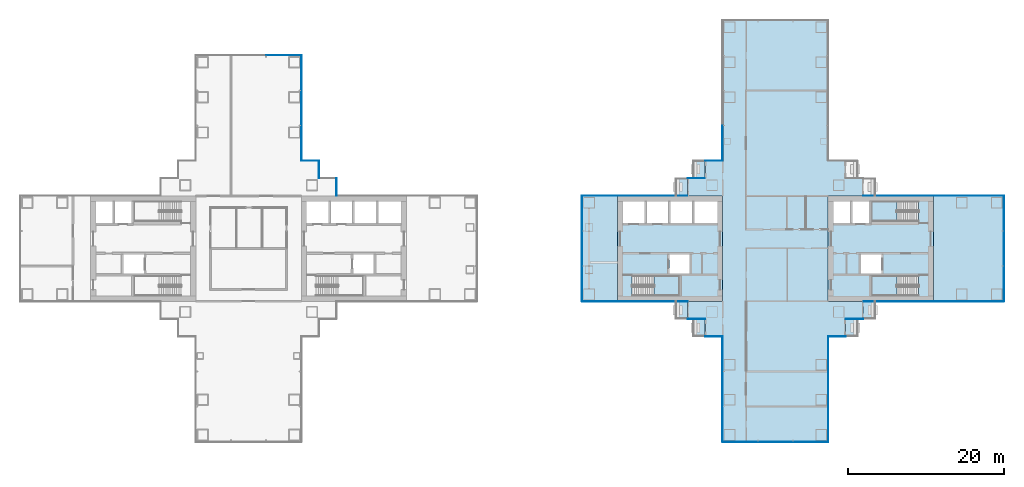
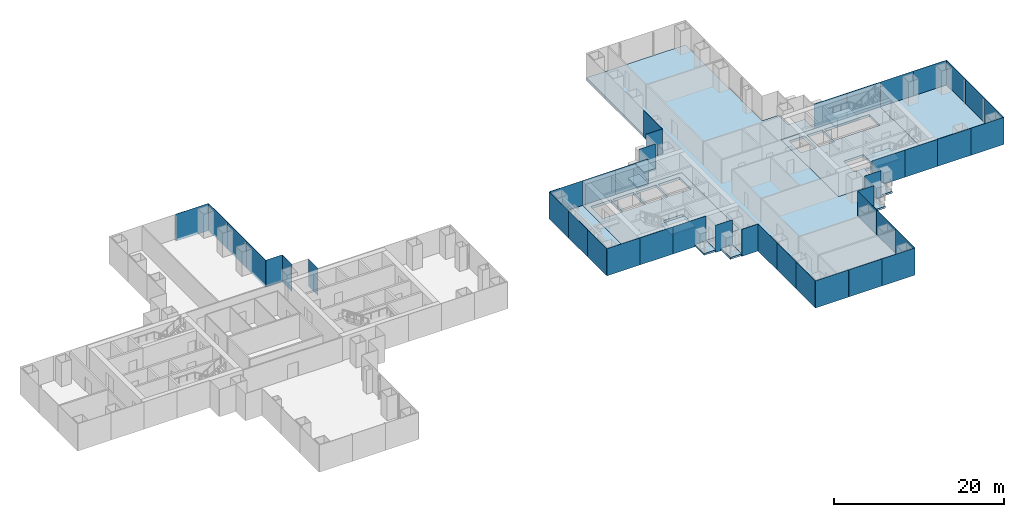
# One storey, part 12 of 22: 43 plates, 14 slabs, 23 elements without a shape of their own.
"""IFC4 building model written with IfcOpenShell, lengths in metres."""

from ifc_helpers import new_model, si_unit, direction, frame, origin, origin_2d, place, context, subcontext, project, spatial, polyline, rectangle, outline, extrude, material, layer, layer_set, type_object, element, aggregate, save


model = new_model("IFC4")

# Units and contexts
model_context = context("Model", 3, precision=1e-05, world=origin(), true_north=direction((0.0, 1.0)))
body_context = subcontext(model_context, "Body", "Model", "MODEL_VIEW")
ifc_project = project(units=[si_unit("LENGTHUNIT", "METRE"), si_unit("AREAUNIT", "SQUARE_METRE"), si_unit("VOLUMEUNIT", "CUBIC_METRE"), si_unit("PLANEANGLEUNIT", "RADIAN"), si_unit("MASSUNIT", "GRAM", prefix="KILO")], contexts=[model_context])

# Site, building, storey
site_placement = place(None, origin())
site = spatial("IfcSite", under=ifc_project, at=site_placement, CompositionType="ELEMENT")
building_placement = place(site_placement, origin())
building = spatial("IfcBuilding", under=site, at=building_placement, Name="Shamsa Quay Exchange Towers", CompositionType="ELEMENT")
storey_placement = place(building_placement, frame((0.0, 0.0, 73.199951171875)))
storey = spatial("IfcBuildingStorey", under=building, at=storey_placement, Name="L16", CompositionType="ELEMENT", Elevation=73.199951171875)

# Slabs
ifc_material_1 = material(Name="Precast concrete C40/50", Category="concrete")
ifc_layer_1 = layer(ifc_material_1, 0.25)
ifc_layer_set_1 = layer_set([ifc_layer_1], Name="BALCONY SLAB 250")
slab_type_1 = type_object("IfcSlabType", Name="BALCONY SLAB 250", PredefinedType="FLOOR", material=ifc_layer_set_1)
slab_1_placement = place(storey_placement, frame((0.0, 0.0, -0.25)))
element("IfcSlab", 1, at=slab_1_placement, inside=storey, type_object=slab_type_1, Name="Balcony T2-PKEN L16", PredefinedType="FLOOR", context=body_context, shape_type="SweptSolid", body=[
    extrude(outline(polyline([(24.75, 11.25), (24.75, 9.0380859375), (23.199951171875, 9.0380859375), (23.199951171875, 11.25), (24.75, 11.25)])), origin(), (0.0, 0.0, 1.0), 0.25),
])
slab_2_placement = place(storey_placement, frame((0.0, 0.0, -0.25)))
element("IfcSlab", 2, at=slab_2_placement, inside=storey, type_object=slab_type_1, Name="Balcony T2-PKEN L16", PredefinedType="FLOOR", context=body_context, shape_type="SweptSolid", body=[
    extrude(outline(polyline([(22.5, 9.0), (22.5, 6.7880859375), (20.949951171875, 6.7880859375), (20.949951171875, 9.0), (22.5, 9.0)])), origin(), (0.0, 0.0, 1.0), 0.25),
])
slab_3_placement = place(storey_placement, frame((0.0, 0.0, -0.25)))
element("IfcSlab", 3, at=slab_3_placement, inside=storey, type_object=slab_type_1, Name="Balcony T2-PKWN L16", PredefinedType="FLOOR", context=body_context, shape_type="SweptSolid", body=[
    extrude(outline(polyline([(22.5, -6.7880859375), (22.5, -9.0), (20.949951171875, -9.0), (20.949951171875, -6.7880859375), (22.5, -6.7880859375)])), origin(), (0.0, 0.0, 1.0), 0.25),
])
slab_4_placement = place(storey_placement, frame((0.0, 0.0, -0.25)))
element("IfcSlab", 4, at=slab_4_placement, inside=storey, type_object=slab_type_1, Name="Balcony T2-PKWN L16", PredefinedType="FLOOR", context=body_context, shape_type="SweptSolid", body=[
    extrude(outline(polyline([(24.75, -9.0380859375), (24.75, -11.25), (23.199951171875, -11.25), (23.199951171875, -9.0380859375), (24.75, -9.0380859375)])), origin(), (0.0, 0.0, 1.0), 0.25),
])
slab_5_placement = place(storey_placement, frame((0.0, 0.0, -0.25)))
element("IfcSlab", 5, at=slab_5_placement, inside=storey, type_object=slab_type_1, Name="Balcony T2-PKWS L16", PredefinedType="FLOOR", context=body_context, shape_type="SweptSolid", body=[
    extrude(outline(polyline([(42.75, -11.25), (42.75, -9.0380859375), (44.300048828125, -9.0380859375), (44.300048828125, -11.25), (42.75, -11.25)])), origin(), (0.0, 0.0, 1.0), 0.25),
])
slab_6_placement = place(storey_placement, frame((0.0, 0.0, -0.25)))
element("IfcSlab", 6, at=slab_6_placement, inside=storey, type_object=slab_type_1, Name="Balcony T2-PKWS L16", PredefinedType="FLOOR", context=body_context, shape_type="SweptSolid", body=[
    extrude(outline(polyline([(45.0, -9.0), (45.0, -6.7880859375), (46.550048828125, -6.7880859375), (46.550048828125, -9.0), (45.0, -9.0)])), origin(), (0.0, 0.0, 1.0), 0.25),
])
ifc_material_2 = material(Name="Concrete C50/60", Category="concrete")
ifc_layer_2 = layer(ifc_material_2, 0.35009765625)
ifc_layer_set_2 = layer_set([ifc_layer_2], Name="CORE FLOOR 350 C50/60")
slab_type_2 = type_object("IfcSlabType", Name="CORE FLOOR 350 C50/60", PredefinedType="FLOOR", material=ifc_layer_set_2)
slab_7_placement = place(storey_placement, frame((0.0, 0.0, -0.349853515625)))
element("IfcSlab", 7, at=slab_7_placement, inside=storey, type_object=slab_type_2, Name="Core floor T2A", PredefinedType="FLOOR", context=body_context, shape_type="SweptSolid", body=[
    extrude(outline(polyline([(13.5, -6.75), (27.0, -6.75), (27.0, 6.75), (13.5, 6.75), (13.5, -6.75)]), holes=[polyline([(15.400634765625, -6.050048828125), (15.400634765625, -3.5), (21.5, -3.5), (21.5, -6.050048828125), (15.400634765625, -6.050048828125)]), polyline([(14.199951171875, 3.25), (14.199951171875, 6.050048828125), (17.0, 6.050048828125), (17.0, 3.25), (14.199951171875, 3.25)]), polyline([(17.25, 3.25), (17.25, 6.050048828125), (20.050048828125, 6.050048828125), (20.050048828125, 3.25), (17.25, 3.25)]), polyline([(20.300048828125, 3.25), (20.300048828125, 6.050048828125), (23.10009765625, 6.050048828125), (23.10009765625, 3.25), (20.300048828125, 3.25)]), polyline([(23.35009765625, 3.25), (23.35009765625, 6.050048828125), (26.300048828125, 6.050048828125), (26.300048828125, 3.25), (23.35009765625, 3.25)]), polyline([(20.14990234375, -3.25), (20.14990234375, -0.75), (22.800048828125, -0.75), (22.800048828125, -3.25), (20.14990234375, -3.25)])]), origin(), (0.0, 0.0, 1.0), 0.349853515625),
])
slab_8_placement = place(storey_placement, frame((0.0, 0.0, -0.349853515625)))
element("IfcSlab", 8, at=slab_8_placement, inside=storey, type_object=slab_type_2, Name="Core floor T2B", PredefinedType="FLOOR", context=body_context, shape_type="SweptSolid", body=[
    extrude(outline(polyline([(54.0, -6.75), (54.0, 6.75), (40.5, 6.75), (40.5, -6.75), (54.0, -6.75)]), holes=[polyline([(52.099365234375, -3.5), (52.099365234375, -6.050048828125), (46.0, -6.050048828125), (46.0, -3.5), (52.099365234375, -3.5)]), polyline([(52.099365234375, 6.050048828125), (52.099365234375, 3.5), (46.0, 3.5), (46.0, 6.050048828125), (52.099365234375, 6.050048828125)]), polyline([(45.75, 3.25), (43.60009765625, 3.25), (43.60009765625, 6.050048828125), (45.75, 6.050048828125), (45.75, 3.25)]), polyline([(43.35009765625, 3.25), (41.199951171875, 3.25), (41.199951171875, 6.050048828125), (43.35009765625, 6.050048828125), (43.35009765625, 3.25)]), polyline([(47.35009765625, -3.25), (44.699951171875, -3.25), (44.699951171875, -0.75), (47.35009765625, -0.75), (47.35009765625, -3.25)])]), origin(), (0.0, 0.0, 1.0), 0.349853515625),
])

# Stair, slab
ifc_material_3 = material(Name="Concrete C40/50", Category="concrete")
stair_type = type_object("IfcStairType", Name="EXIT STAIR 22 RISERS 177 MM", PredefinedType="HALF_TURN_STAIR", material=ifc_material_3)
stair_1_placement = place(storey_placement, origin())
stair_1 = element("IfcStair", 9, at=stair_1_placement, inside=storey, type_object=stair_type, Name="L16 Exit stair ST4", PredefinedType="HALF_TURN_STAIR")
ifc_layer_3 = layer(ifc_material_3, 0.199951171875)
ifc_layer_set_3 = layer_set([ifc_layer_3], Name="CORE STAIR LANDING")
slab_type_3 = type_object("IfcSlabType", Name="CORE STAIR LANDING", PredefinedType="LANDING", material=ifc_layer_set_3)
slab_9_placement = place(storey_placement, frame((0.0, 0.0, 1.75)))
slab_9 = element("IfcSlab", 10, at=slab_9_placement, type_object=slab_type_3, Name="ST4 landing 1", PredefinedType="LANDING", context=body_context, shape_type="SweptSolid", body=[
    extrude(outline(polyline([(18.199951171875, -6.050048828125), (21.5, -6.050048828125), (21.5, -3.5), (18.199951171875, -3.5), (18.199951171875, -6.050048828125)])), origin(), (0.0, 0.0, 1.0), 0.199951171875),
])
aggregate(stair_1, [slab_9])

stair_2_placement = place(storey_placement, origin())
stair_2 = element("IfcStair", 11, at=stair_2_placement, inside=storey, type_object=stair_type, Name="L16 Exit stair ST5", PredefinedType="HALF_TURN_STAIR")
slab_10_placement = place(storey_placement, frame((0.0, 0.0, 1.75)))
slab_10 = element("IfcSlab", 12, at=slab_10_placement, type_object=slab_type_3, Name="ST5 landing 1", PredefinedType="LANDING", context=body_context, shape_type="SweptSolid", body=[
    extrude(outline(polyline([(49.300048828125, -3.5), (46.0, -3.5), (46.0, -6.050048828125), (49.300048828125, -6.050048828125), (49.300048828125, -3.5)])), origin(), (0.0, 0.0, 1.0), 0.199951171875),
])
aggregate(stair_2, [slab_10])

stair_3_placement = place(storey_placement, origin())
stair_3 = element("IfcStair", 13, at=stair_3_placement, inside=storey, type_object=stair_type, Name="L16 Exit stair ST6", PredefinedType="HALF_TURN_STAIR")
slab_11_placement = place(storey_placement, frame((0.0, 0.0, 1.75)))
slab_11 = element("IfcSlab", 14, at=slab_11_placement, type_object=slab_type_3, Name="ST6 landing 1", PredefinedType="LANDING", context=body_context, shape_type="SweptSolid", body=[
    extrude(outline(polyline([(49.300048828125, 6.050048828125), (46.0, 6.050048828125), (46.0, 3.5), (49.300048828125, 3.5), (49.300048828125, 6.050048828125)])), origin(), (0.0, 0.0, 1.0), 0.199951171875),
])
aggregate(stair_3, [slab_11])

# Curtain wall, plates
ifc_material_4 = material(Name="Aluminium EN AW-6063 T6, black anodised", Category="aluminium")
ifc_layer_4 = layer(ifc_material_4, 0.280029296875)
ifc_layer_set_4 = layer_set([ifc_layer_4], Name="CW-1 UNITISED VISION GLASS")
curtain_wall_type_1 = type_object("IfcCurtainWallType", Name="CW-1 UNITISED VISION GLASS", PredefinedType="NOTDEFINED", material=ifc_layer_set_4)
curtain_wall_1_placement = place(storey_placement, origin())
curtain_wall_1 = element("IfcCurtainWall", 15, at=curtain_wall_1_placement, inside=storey, type_object=curtain_wall_type_1, Name="CW1 T1-FLK-V+E L16", PredefinedType="NOTDEFINED")
ifc_material_5 = material(Name="Glass, laminated, dark tinted", Category="glass")
ifc_layer_5 = layer(ifc_material_5, 0.0400390625)
ifc_layer_set_5 = layer_set([ifc_layer_5], Name="CW-1 VISION GLASS 40")
plate_type_1 = type_object("IfcPlateType", Name="CW-1 VISION GLASS 40", PredefinedType="CURTAIN_PANEL", material=ifc_layer_set_5)
plate_1_placement = place(storey_placement, frame((-26.97998046875, 13.529052734375, -0.349853515625), z_axis=(0.0, 0.0, 1.0), x_axis=(0.0, 1.0, 0.0)))
plate_1 = element("IfcPlate", 16, at=plate_1_placement, type_object=plate_type_1, Name="CW1 glass panel", PredefinedType="CURTAIN_PANEL", context=body_context, shape_type="SweptSolid", body=[
    extrude(rectangle(XDim=4.482421875, YDim=0.0400390625, at=origin_2d()), origin(), (0.0, 0.0, 1.0), 3.89990234375),
])
plate_2_placement = place(storey_placement, frame((-26.97998046875, 18.01904296875, -0.349853515625), z_axis=(0.0, 0.0, 1.0), x_axis=(0.0, 1.0, 0.0)))
plate_2 = element("IfcPlate", 17, at=plate_2_placement, type_object=plate_type_1, Name="CW1 glass panel", PredefinedType="CURTAIN_PANEL", context=body_context, shape_type="SweptSolid", body=[
    extrude(rectangle(XDim=4.477294921875, YDim=0.0400390625, at=origin_2d()), origin(), (0.0, 0.0, 1.0), 3.89990234375),
])
plate_3_placement = place(storey_placement, frame((-26.97998046875, 22.5087890625, -0.349853515625), z_axis=(0.0, 0.0, 1.0), x_axis=(0.0, 1.0, 0.0)))
plate_3 = element("IfcPlate", 18, at=plate_3_placement, type_object=plate_type_1, Name="CW1 glass panel", PredefinedType="CURTAIN_PANEL", context=body_context, shape_type="SweptSolid", body=[
    extrude(rectangle(XDim=4.482421875, YDim=0.0400390625, at=origin_2d()), origin(), (0.0, 0.0, 1.0), 3.89990234375),
])
aggregate(curtain_wall_1, [plate_1, plate_2, plate_3])

# Curtain wall, plate
curtain_wall_2_placement = place(storey_placement, origin())
curtain_wall_2 = element("IfcCurtainWall", 19, at=curtain_wall_2_placement, inside=storey, type_object=curtain_wall_type_1, Name="CW1 T1-END-V+ L16", PredefinedType="NOTDEFINED")
plate_4_placement = place(storey_placement, frame((-29.24755859375, 24.77001953125, -0.349853515625), z_axis=(0.0, 0.0, 1.0), x_axis=(-1.0, 0.0, 0.0)))
plate_4 = element("IfcPlate", 20, at=plate_4_placement, type_object=plate_type_1, Name="CW1 glass panel", PredefinedType="CURTAIN_PANEL", context=body_context, shape_type="SweptSolid", body=[
    extrude(rectangle(XDim=4.4951171875, YDim=0.0400390625, at=origin_2d()), origin(), (0.0, 0.0, 1.0), 3.89990234375),
])
aggregate(curtain_wall_2, [plate_4])

# Curtain wall, plates
curtain_wall_3_placement = place(storey_placement, origin())
curtain_wall_3 = element("IfcCurtainWall", 21, at=curtain_wall_3_placement, inside=storey, type_object=curtain_wall_type_1, Name="CW1 T2-FLK-V-W L16", PredefinedType="NOTDEFINED")
plate_5_placement = place(storey_placement, frame((56.24755859375, -6.77001953125, -0.349853515625)))
plate_5 = element("IfcPlate", 22, at=plate_5_placement, type_object=plate_type_1, Name="CW1 glass panel", PredefinedType="CURTAIN_PANEL", context=body_context, shape_type="SweptSolid", body=[
    extrude(rectangle(XDim=4.4951171875, YDim=0.0400390625, at=origin_2d()), origin(), (0.0, 0.0, 1.0), 3.89990234375),
])
plate_6_placement = place(storey_placement, frame((60.75244140625, -6.77001953125, -0.349853515625)))
plate_6 = element("IfcPlate", 23, at=plate_6_placement, type_object=plate_type_1, Name="CW1 glass panel", PredefinedType="CURTAIN_PANEL", context=body_context, shape_type="SweptSolid", body=[
    extrude(rectangle(XDim=4.4951171875, YDim=0.0400390625, at=origin_2d()), origin(), (0.0, 0.0, 1.0), 3.89990234375),
])
aggregate(curtain_wall_3, [plate_5, plate_6])

curtain_wall_4_placement = place(storey_placement, origin())
curtain_wall_4 = element("IfcCurtainWall", 24, at=curtain_wall_4_placement, inside=storey, type_object=curtain_wall_type_1, Name="CW1 T2-END-V- L16", PredefinedType="NOTDEFINED")
plate_7_placement = place(storey_placement, frame((63.02001953125, -4.50244140625, -0.349853515625), z_axis=(0.0, 0.0, 1.0), x_axis=(0.0, 1.0, 0.0)))
plate_7 = element("IfcPlate", 25, at=plate_7_placement, type_object=plate_type_1, Name="CW1 glass panel", PredefinedType="CURTAIN_PANEL", context=body_context, shape_type="SweptSolid", body=[
    extrude(rectangle(XDim=4.4951171875, YDim=0.0400390625, at=origin_2d()), origin(), (0.0, 0.0, 1.0), 3.89990234375),
])
plate_8_placement = place(storey_placement, frame((63.02001953125, 0.0, -0.349853515625), z_axis=(0.0, 0.0, 1.0), x_axis=(0.0, 1.0, 0.0)))
plate_8 = element("IfcPlate", 26, at=plate_8_placement, type_object=plate_type_1, Name="CW1 glass panel", PredefinedType="CURTAIN_PANEL", context=body_context, shape_type="SweptSolid", body=[
    extrude(rectangle(XDim=4.489990234375, YDim=0.0400390625, at=origin_2d()), origin(), (0.0, 0.0, 1.0), 3.89990234375),
])
plate_9_placement = place(storey_placement, frame((63.02001953125, 4.50244140625, -0.349853515625), z_axis=(0.0, 0.0, 1.0), x_axis=(0.0, 1.0, 0.0)))
plate_9 = element("IfcPlate", 27, at=plate_9_placement, type_object=plate_type_1, Name="CW1 glass panel", PredefinedType="CURTAIN_PANEL", context=body_context, shape_type="SweptSolid", body=[
    extrude(rectangle(XDim=4.4951171875, YDim=0.0400390625, at=origin_2d()), origin(), (0.0, 0.0, 1.0), 3.89990234375),
])
aggregate(curtain_wall_4, [plate_7, plate_8, plate_9])

curtain_wall_5_placement = place(storey_placement, origin())
curtain_wall_5 = element("IfcCurtainWall", 28, at=curtain_wall_5_placement, inside=storey, type_object=curtain_wall_type_1, Name="CW1 T2-FLK-V-E L16", PredefinedType="NOTDEFINED")
plate_10_placement = place(storey_placement, frame((60.75244140625, 6.77001953125, -0.349853515625), z_axis=(0.0, 0.0, 1.0), x_axis=(-1.0, 0.0, 0.0)))
plate_10 = element("IfcPlate", 29, at=plate_10_placement, type_object=plate_type_1, Name="CW1 glass panel", PredefinedType="CURTAIN_PANEL", context=body_context, shape_type="SweptSolid", body=[
    extrude(rectangle(XDim=4.4951171875, YDim=0.0400390625, at=origin_2d()), origin(), (0.0, 0.0, 1.0), 3.89990234375),
])
plate_11_placement = place(storey_placement, frame((56.24755859375, 6.77001953125, -0.349853515625), z_axis=(0.0, 0.0, 1.0), x_axis=(-1.0, 0.0, 0.0)))
plate_11 = element("IfcPlate", 30, at=plate_11_placement, type_object=plate_type_1, Name="CW1 glass panel", PredefinedType="CURTAIN_PANEL", context=body_context, shape_type="SweptSolid", body=[
    extrude(rectangle(XDim=4.4951171875, YDim=0.0400390625, at=origin_2d()), origin(), (0.0, 0.0, 1.0), 3.89990234375),
])
aggregate(curtain_wall_5, [plate_10, plate_11])

# Curtain wall, plate
curtain_wall_6_placement = place(storey_placement, origin())
curtain_wall_6 = element("IfcCurtainWall", 31, at=curtain_wall_6_placement, inside=storey, type_object=curtain_wall_type_1, Name="CW1 T2-FLK-U+N L16", PredefinedType="NOTDEFINED")
plate_12_placement = place(storey_placement, frame((26.97998046875, 13.49755859375, -0.349853515625), z_axis=(0.0, 0.0, 1.0), x_axis=(0.0, -1.0, 0.0)))
plate_12 = element("IfcPlate", 32, at=plate_12_placement, type_object=plate_type_1, Name="CW1 glass panel", PredefinedType="CURTAIN_PANEL", context=body_context, shape_type="SweptSolid", body=[
    extrude(rectangle(XDim=4.4951171875, YDim=0.0400390625, at=origin_2d()), origin(), (0.0, 0.0, 1.0), 3.89990234375),
])
aggregate(curtain_wall_6, [plate_12])

curtain_wall_7_placement = place(storey_placement, origin())
curtain_wall_7 = element("IfcCurtainWall", 33, at=curtain_wall_7_placement, inside=storey, type_object=curtain_wall_type_1, Name="CW1 T2-FLK-V+E L16", PredefinedType="NOTDEFINED")
plate_13_placement = place(storey_placement, frame((11.25, 6.77001953125, -0.349853515625), z_axis=(0.0, 0.0, 1.0), x_axis=(-1.0, 0.0, 0.0)))
plate_13 = element("IfcPlate", 34, at=plate_13_placement, type_object=plate_type_1, Name="CW1 glass panel", PredefinedType="CURTAIN_PANEL", context=body_context, shape_type="SweptSolid", body=[
    extrude(rectangle(XDim=4.5, YDim=0.0400390625, at=origin_2d()), origin(), (0.0, 0.0, 1.0), 3.89990234375),
])
aggregate(curtain_wall_7, [plate_13])

# Curtain wall, plates
curtain_wall_8_placement = place(storey_placement, origin())
curtain_wall_8 = element("IfcCurtainWall", 35, at=curtain_wall_8_placement, inside=storey, type_object=curtain_wall_type_1, Name="CW1 T2-END-V+ L16", PredefinedType="NOTDEFINED")
plate_14_placement = place(storey_placement, frame((8.97998046875, 4.50244140625, -0.349853515625), z_axis=(0.0, 0.0, 1.0), x_axis=(0.0, -1.0, 0.0)))
plate_14 = element("IfcPlate", 36, at=plate_14_placement, type_object=plate_type_1, Name="CW1 glass panel", PredefinedType="CURTAIN_PANEL", context=body_context, shape_type="SweptSolid", body=[
    extrude(rectangle(XDim=4.4951171875, YDim=0.0400390625, at=origin_2d()), origin(), (0.0, 0.0, 1.0), 3.89990234375),
])
plate_15_placement = place(storey_placement, frame((8.97998046875, 0.0, -0.349853515625), z_axis=(0.0, 0.0, 1.0), x_axis=(0.0, -1.0, 0.0)))
plate_15 = element("IfcPlate", 37, at=plate_15_placement, type_object=plate_type_1, Name="CW1 glass panel", PredefinedType="CURTAIN_PANEL", context=body_context, shape_type="SweptSolid", body=[
    extrude(rectangle(XDim=4.489990234375, YDim=0.0400390625, at=origin_2d()), origin(), (0.0, 0.0, 1.0), 3.89990234375),
])
plate_16_placement = place(storey_placement, frame((8.97998046875, -4.50244140625, -0.349853515625), z_axis=(0.0, 0.0, 1.0), x_axis=(0.0, -1.0, 0.0)))
plate_16 = element("IfcPlate", 38, at=plate_16_placement, type_object=plate_type_1, Name="CW1 glass panel", PredefinedType="CURTAIN_PANEL", context=body_context, shape_type="SweptSolid", body=[
    extrude(rectangle(XDim=4.4951171875, YDim=0.0400390625, at=origin_2d()), origin(), (0.0, 0.0, 1.0), 3.89990234375),
])
aggregate(curtain_wall_8, [plate_14, plate_15, plate_16])

# Curtain wall, plate
curtain_wall_9_placement = place(storey_placement, origin())
curtain_wall_9 = element("IfcCurtainWall", 39, at=curtain_wall_9_placement, inside=storey, type_object=curtain_wall_type_1, Name="CW1 T2-FLK-V+W L16", PredefinedType="NOTDEFINED")
plate_17_placement = place(storey_placement, frame((11.25, -6.77001953125, -0.349853515625)))
plate_17 = element("IfcPlate", 40, at=plate_17_placement, type_object=plate_type_1, Name="CW1 glass panel", PredefinedType="CURTAIN_PANEL", context=body_context, shape_type="SweptSolid", body=[
    extrude(rectangle(XDim=4.5, YDim=0.0400390625, at=origin_2d()), origin(), (0.0, 0.0, 1.0), 3.89990234375),
])
aggregate(curtain_wall_9, [plate_17])

# Curtain wall, plates
curtain_wall_10_placement = place(storey_placement, origin())
curtain_wall_10 = element("IfcCurtainWall", 41, at=curtain_wall_10_placement, inside=storey, type_object=curtain_wall_type_1, Name="CW1 T2-FLK-U-N L16", PredefinedType="NOTDEFINED")
plate_18_placement = place(storey_placement, frame((26.97998046875, -13.529052734375, -0.349853515625), z_axis=(0.0, 0.0, 1.0), x_axis=(0.0, -1.0, 0.0)))
plate_18 = element("IfcPlate", 42, at=plate_18_placement, type_object=plate_type_1, Name="CW1 glass panel", PredefinedType="CURTAIN_PANEL", context=body_context, shape_type="SweptSolid", body=[
    extrude(rectangle(XDim=4.482421875, YDim=0.0400390625, at=origin_2d()), origin(), (0.0, 0.0, 1.0), 3.89990234375),
])
plate_19_placement = place(storey_placement, frame((26.97998046875, -18.01904296875, -0.349853515625), z_axis=(0.0, 0.0, 1.0), x_axis=(0.0, -1.0, 0.0)))
plate_19 = element("IfcPlate", 43, at=plate_19_placement, type_object=plate_type_1, Name="CW1 glass panel", PredefinedType="CURTAIN_PANEL", context=body_context, shape_type="SweptSolid", body=[
    extrude(rectangle(XDim=4.477294921875, YDim=0.0400390625, at=origin_2d()), origin(), (0.0, 0.0, 1.0), 3.89990234375),
])
plate_20_placement = place(storey_placement, frame((26.97998046875, -22.5087890625, -0.349853515625), z_axis=(0.0, 0.0, 1.0), x_axis=(0.0, -1.0, 0.0)))
plate_20 = element("IfcPlate", 44, at=plate_20_placement, type_object=plate_type_1, Name="CW1 glass panel", PredefinedType="CURTAIN_PANEL", context=body_context, shape_type="SweptSolid", body=[
    extrude(rectangle(XDim=4.482421875, YDim=0.0400390625, at=origin_2d()), origin(), (0.0, 0.0, 1.0), 3.89990234375),
])
aggregate(curtain_wall_10, [plate_18, plate_19, plate_20])

curtain_wall_11_placement = place(storey_placement, origin())
curtain_wall_11 = element("IfcCurtainWall", 45, at=curtain_wall_11_placement, inside=storey, type_object=curtain_wall_type_1, Name="CW1 T2-END-U- L16", PredefinedType="NOTDEFINED")
plate_21_placement = place(storey_placement, frame((29.24755859375, -24.77001953125, -0.349853515625)))
plate_21 = element("IfcPlate", 46, at=plate_21_placement, type_object=plate_type_1, Name="CW1 glass panel", PredefinedType="CURTAIN_PANEL", context=body_context, shape_type="SweptSolid", body=[
    extrude(rectangle(XDim=4.4951171875, YDim=0.0400390625, at=origin_2d()), origin(), (0.0, 0.0, 1.0), 3.89990234375),
])
plate_22_placement = place(storey_placement, frame((33.75, -24.77001953125, -0.349853515625)))
plate_22 = element("IfcPlate", 47, at=plate_22_placement, type_object=plate_type_1, Name="CW1 glass panel", PredefinedType="CURTAIN_PANEL", context=body_context, shape_type="SweptSolid", body=[
    extrude(rectangle(XDim=4.489990234375, YDim=0.0400390625, at=origin_2d()), origin(), (0.0, 0.0, 1.0), 3.89990234375),
])
plate_23_placement = place(storey_placement, frame((38.25244140625, -24.77001953125, -0.349853515625)))
plate_23 = element("IfcPlate", 48, at=plate_23_placement, type_object=plate_type_1, Name="CW1 glass panel", PredefinedType="CURTAIN_PANEL", context=body_context, shape_type="SweptSolid", body=[
    extrude(rectangle(XDim=4.4951171875, YDim=0.0400390625, at=origin_2d()), origin(), (0.0, 0.0, 1.0), 3.89990234375),
])
aggregate(curtain_wall_11, [plate_21, plate_22, plate_23])

curtain_wall_12_placement = place(storey_placement, origin())
curtain_wall_12 = element("IfcCurtainWall", 49, at=curtain_wall_12_placement, inside=storey, type_object=curtain_wall_type_1, Name="CW1 T2-FLK-U-S L16", PredefinedType="NOTDEFINED")
plate_24_placement = place(storey_placement, frame((40.52001953125, -22.50244140625, -0.349853515625), z_axis=(0.0, 0.0, 1.0), x_axis=(0.0, 1.0, 0.0)))
plate_24 = element("IfcPlate", 50, at=plate_24_placement, type_object=plate_type_1, Name="CW1 glass panel", PredefinedType="CURTAIN_PANEL", context=body_context, shape_type="SweptSolid", body=[
    extrude(rectangle(XDim=4.4951171875, YDim=0.0400390625, at=origin_2d()), origin(), (0.0, 0.0, 1.0), 3.89990234375),
])
plate_25_placement = place(storey_placement, frame((40.52001953125, -18.0, -0.349853515625), z_axis=(0.0, 0.0, 1.0), x_axis=(0.0, 1.0, 0.0)))
plate_25 = element("IfcPlate", 51, at=plate_25_placement, type_object=plate_type_1, Name="CW1 glass panel", PredefinedType="CURTAIN_PANEL", context=body_context, shape_type="SweptSolid", body=[
    extrude(rectangle(XDim=4.489990234375, YDim=0.0400390625, at=origin_2d()), origin(), (0.0, 0.0, 1.0), 3.89990234375),
])
plate_26_placement = place(storey_placement, frame((40.52001953125, -13.49755859375, -0.349853515625), z_axis=(0.0, 0.0, 1.0), x_axis=(0.0, 1.0, 0.0)))
plate_26 = element("IfcPlate", 52, at=plate_26_placement, type_object=plate_type_1, Name="CW1 glass panel", PredefinedType="CURTAIN_PANEL", context=body_context, shape_type="SweptSolid", body=[
    extrude(rectangle(XDim=4.4951171875, YDim=0.0400390625, at=origin_2d()), origin(), (0.0, 0.0, 1.0), 3.89990234375),
])
aggregate(curtain_wall_12, [plate_24, plate_25, plate_26])

ifc_layer_6 = layer(ifc_material_4, 0.303955078125)
ifc_layer_set_6 = layer_set([ifc_layer_6], Name="CW-2 UNITISED OPAQUE SPANDREL GLASS")
curtain_wall_type_2 = type_object("IfcCurtainWallType", Name="CW-2 UNITISED OPAQUE SPANDREL GLASS", PredefinedType="NOTDEFINED", material=ifc_layer_set_6)
curtain_wall_13_placement = place(storey_placement, origin())
curtain_wall_13 = element("IfcCurtainWall", 53, at=curtain_wall_13_placement, inside=storey, type_object=curtain_wall_type_2, Name="CW2 T2-FLK-V-W L16", PredefinedType="NOTDEFINED")
ifc_material_6 = material(Name="Glass, laminated, black enamelled opaque", Category="glass")
ifc_layer_7 = layer(ifc_material_6, 0.0439453125)
ifc_layer_set_7 = layer_set([ifc_layer_7], Name="CW-2 SPANDREL GLASS 44")
plate_type_2 = type_object("IfcPlateType", Name="CW-2 SPANDREL GLASS 44", PredefinedType="CURTAIN_PANEL", material=ifc_layer_set_7)
plate_27_placement = place(storey_placement, frame((47.27587890625, -6.77197265625, -0.349853515625)))
plate_27 = element("IfcPlate", 54, at=plate_27_placement, type_object=plate_type_2, Name="CW2 glass panel", PredefinedType="CURTAIN_PANEL", context=body_context, shape_type="SweptSolid", body=[
    extrude(rectangle(XDim=4.47607421875, YDim=0.0439453125, at=origin_2d()), origin(), (0.0, 0.0, 1.0), 3.89990234375),
])
plate_28_placement = place(storey_placement, frame((51.761962890625, -6.77197265625, -0.349853515625)))
plate_28 = element("IfcPlate", 55, at=plate_28_placement, type_object=plate_type_2, Name="CW2 glass panel", PredefinedType="CURTAIN_PANEL", context=body_context, shape_type="SweptSolid", body=[
    extrude(rectangle(XDim=4.47607421875, YDim=0.0439453125, at=origin_2d()), origin(), (0.0, 0.0, 1.0), 3.89990234375),
])
aggregate(curtain_wall_13, [plate_27, plate_28])

curtain_wall_14_placement = place(storey_placement, origin())
curtain_wall_14 = element("IfcCurtainWall", 56, at=curtain_wall_14_placement, inside=storey, type_object=curtain_wall_type_2, Name="CW2 T2-FLK-V-E L16", PredefinedType="NOTDEFINED")
plate_29_placement = place(storey_placement, frame((51.75244140625, 6.77197265625, -0.349853515625), z_axis=(0.0, 0.0, 1.0), x_axis=(-1.0, 0.0, 0.0)))
plate_29 = element("IfcPlate", 57, at=plate_29_placement, type_object=plate_type_2, Name="CW2 glass panel", PredefinedType="CURTAIN_PANEL", context=body_context, shape_type="SweptSolid", body=[
    extrude(rectangle(XDim=4.4951171875, YDim=0.0439453125, at=origin_2d()), origin(), (0.0, 0.0, 1.0), 3.89990234375),
])
plate_30_placement = place(storey_placement, frame((47.24755859375, 6.77197265625, -0.349853515625), z_axis=(0.0, 0.0, 1.0), x_axis=(-1.0, 0.0, 0.0)))
plate_30 = element("IfcPlate", 58, at=plate_30_placement, type_object=plate_type_2, Name="CW2 glass panel", PredefinedType="CURTAIN_PANEL", context=body_context, shape_type="SweptSolid", body=[
    extrude(rectangle(XDim=4.4951171875, YDim=0.0439453125, at=origin_2d()), origin(), (0.0, 0.0, 1.0), 3.89990234375),
])
aggregate(curtain_wall_14, [plate_29, plate_30])

curtain_wall_15_placement = place(storey_placement, origin())
curtain_wall_15 = element("IfcCurtainWall", 59, at=curtain_wall_15_placement, inside=storey, type_object=curtain_wall_type_2, Name="CW2 T2-FLK-V+E L16", PredefinedType="NOTDEFINED")
plate_31_placement = place(storey_placement, frame((20.22412109375, 6.77197265625, -0.349853515625), z_axis=(0.0, 0.0, 1.0), x_axis=(-1.0, 0.0, 0.0)))
plate_31 = element("IfcPlate", 60, at=plate_31_placement, type_object=plate_type_2, Name="CW2 glass panel", PredefinedType="CURTAIN_PANEL", context=body_context, shape_type="SweptSolid", body=[
    extrude(rectangle(XDim=4.47607421875, YDim=0.0439453125, at=origin_2d()), origin(), (0.0, 0.0, 1.0), 3.89990234375),
])
plate_32_placement = place(storey_placement, frame((15.738037109375, 6.77197265625, -0.349853515625), z_axis=(0.0, 0.0, 1.0), x_axis=(-1.0, 0.0, 0.0)))
plate_32 = element("IfcPlate", 61, at=plate_32_placement, type_object=plate_type_2, Name="CW2 glass panel", PredefinedType="CURTAIN_PANEL", context=body_context, shape_type="SweptSolid", body=[
    extrude(rectangle(XDim=4.47607421875, YDim=0.0439453125, at=origin_2d()), origin(), (0.0, 0.0, 1.0), 3.89990234375),
])
aggregate(curtain_wall_15, [plate_31, plate_32])

curtain_wall_16_placement = place(storey_placement, origin())
curtain_wall_16 = element("IfcCurtainWall", 62, at=curtain_wall_16_placement, inside=storey, type_object=curtain_wall_type_2, Name="CW2 T2-FLK-V+W L16", PredefinedType="NOTDEFINED")
plate_33_placement = place(storey_placement, frame((15.74755859375, -6.77197265625, -0.349853515625)))
plate_33 = element("IfcPlate", 63, at=plate_33_placement, type_object=plate_type_2, Name="CW2 glass panel", PredefinedType="CURTAIN_PANEL", context=body_context, shape_type="SweptSolid", body=[
    extrude(rectangle(XDim=4.4951171875, YDim=0.0439453125, at=origin_2d()), origin(), (0.0, 0.0, 1.0), 3.89990234375),
])
plate_34_placement = place(storey_placement, frame((20.25244140625, -6.77197265625, -0.349853515625)))
plate_34 = element("IfcPlate", 64, at=plate_34_placement, type_object=plate_type_2, Name="CW2 glass panel", PredefinedType="CURTAIN_PANEL", context=body_context, shape_type="SweptSolid", body=[
    extrude(rectangle(XDim=4.4951171875, YDim=0.0439453125, at=origin_2d()), origin(), (0.0, 0.0, 1.0), 3.89990234375),
])
aggregate(curtain_wall_16, [plate_33, plate_34])

ifc_layer_8 = layer(ifc_material_4, 0.256103515625)
ifc_layer_set_8 = layer_set([ifc_layer_8], Name="CW-4 POCKET SERRATED GLAZING")
curtain_wall_type_3 = type_object("IfcCurtainWallType", Name="CW-4 POCKET SERRATED GLAZING", PredefinedType="NOTDEFINED", material=ifc_layer_set_8)
curtain_wall_17_placement = place(storey_placement, origin())
curtain_wall_17 = element("IfcCurtainWall", 65, at=curtain_wall_17_placement, inside=storey, type_object=curtain_wall_type_3, Name="CW4 PKEN L16", PredefinedType="NOTDEFINED")
ifc_layer_9 = layer(ifc_material_5, 0.035888671875)
ifc_layer_set_9 = layer_set([ifc_layer_9], Name="CW-4 POCKET GLASS 36")
plate_type_3 = type_object("IfcPlateType", Name="CW-4 POCKET GLASS 36", PredefinedType="CURTAIN_PANEL", material=ifc_layer_set_9)
plate_35_placement = place(storey_placement, frame((-22.48193359375, 7.89794921875, -0.349853515625), z_axis=(0.0, 0.0, 1.0), x_axis=(0.0, 1.0, 0.0)))
plate_35 = element("IfcPlate", 66, at=plate_35_placement, type_object=plate_type_3, Name="CW4 glass panel", PredefinedType="CURTAIN_PANEL", context=body_context, shape_type="SweptSolid", body=[
    extrude(rectangle(XDim=2.2041015625, YDim=0.035888671875, at=origin_2d()), origin(), (0.0, 0.0, 1.0), 3.89990234375),
])
plate_36_placement = place(storey_placement, frame((-24.73193359375, 10.14404296875, -0.349853515625), z_axis=(0.0, 0.0, 1.0), x_axis=(0.0, 1.0, 0.0)))
plate_36 = element("IfcPlate", 67, at=plate_36_placement, type_object=plate_type_3, Name="CW4 glass panel", PredefinedType="CURTAIN_PANEL", context=body_context, shape_type="SweptSolid", body=[
    extrude(rectangle(XDim=2.2119140625, YDim=0.035888671875, at=origin_2d()), origin(), (0.0, 0.0, 1.0), 3.89990234375),
])
plate_37_placement = place(storey_placement, frame((-25.875, 11.26806640625, -0.349853515625), z_axis=(0.0, 0.0, 1.0), x_axis=(-1.0, 0.0, 0.0)))
plate_37 = element("IfcPlate", 68, at=plate_37_placement, type_object=plate_type_3, Name="CW4 glass panel", PredefinedType="CURTAIN_PANEL", context=body_context, shape_type="SweptSolid", body=[
    extrude(rectangle(XDim=2.25, YDim=0.035888671875, at=origin_2d()), origin(), (0.0, 0.0, 1.0), 3.89990234375),
])
aggregate(curtain_wall_17, [plate_35, plate_36, plate_37])

curtain_wall_18_placement = place(storey_placement, origin())
curtain_wall_18 = element("IfcCurtainWall", 69, at=curtain_wall_18_placement, inside=storey, type_object=curtain_wall_type_3, Name="CW4 PKWS L16", PredefinedType="NOTDEFINED")
plate_38_placement = place(storey_placement, frame((43.89404296875, -9.01806640625, -0.349853515625)))
plate_38 = element("IfcPlate", 70, at=plate_38_placement, type_object=plate_type_3, Name="CW4 glass panel", PredefinedType="CURTAIN_PANEL", context=body_context, shape_type="SweptSolid", body=[
    extrude(rectangle(XDim=2.2119140625, YDim=0.035888671875, at=origin_2d()), origin(), (0.0, 0.0, 1.0), 3.89990234375),
])
plate_39_placement = place(storey_placement, frame((41.64599609375, -11.26806640625, -0.349853515625)))
plate_39 = element("IfcPlate", 71, at=plate_39_placement, type_object=plate_type_3, Name="CW4 glass panel", PredefinedType="CURTAIN_PANEL", context=body_context, shape_type="SweptSolid", body=[
    extrude(rectangle(XDim=2.2080078125, YDim=0.035888671875, at=origin_2d()), origin(), (0.0, 0.0, 1.0), 3.89990234375),
])
aggregate(curtain_wall_18, [plate_38, plate_39])

curtain_wall_19_placement = place(storey_placement, origin())
curtain_wall_19 = element("IfcCurtainWall", 72, at=curtain_wall_19_placement, inside=storey, type_object=curtain_wall_type_3, Name="CW4 PKEN L16", PredefinedType="NOTDEFINED")
plate_40_placement = place(storey_placement, frame((25.85400390625, 11.26806640625, -0.349853515625), z_axis=(0.0, 0.0, 1.0), x_axis=(-1.0, 0.0, 0.0)))
plate_40 = element("IfcPlate", 73, at=plate_40_placement, type_object=plate_type_3, Name="CW4 glass panel", PredefinedType="CURTAIN_PANEL", context=body_context, shape_type="SweptSolid", body=[
    extrude(rectangle(XDim=2.2080078125, YDim=0.035888671875, at=origin_2d()), origin(), (0.0, 0.0, 1.0), 3.89990234375),
])
plate_41_placement = place(storey_placement, frame((23.60595703125, 9.01806640625, -0.349853515625), z_axis=(0.0, 0.0, 1.0), x_axis=(-1.0, 0.0, 0.0)))
plate_41 = element("IfcPlate", 74, at=plate_41_placement, type_object=plate_type_3, Name="CW4 glass panel", PredefinedType="CURTAIN_PANEL", context=body_context, shape_type="SweptSolid", body=[
    extrude(rectangle(XDim=2.2119140625, YDim=0.035888671875, at=origin_2d()), origin(), (0.0, 0.0, 1.0), 3.89990234375),
])
aggregate(curtain_wall_19, [plate_40, plate_41])

curtain_wall_20_placement = place(storey_placement, origin())
curtain_wall_20 = element("IfcCurtainWall", 75, at=curtain_wall_20_placement, inside=storey, type_object=curtain_wall_type_3, Name="CW4 PKWN L16", PredefinedType="NOTDEFINED")
plate_42_placement = place(storey_placement, frame((23.625, -9.01806640625, -0.349853515625)))
plate_42 = element("IfcPlate", 76, at=plate_42_placement, type_object=plate_type_3, Name="CW4 glass panel", PredefinedType="CURTAIN_PANEL", context=body_context, shape_type="SweptSolid", body=[
    extrude(rectangle(XDim=2.25, YDim=0.035888671875, at=origin_2d()), origin(), (0.0, 0.0, 1.0), 3.89990234375),
])
plate_43_placement = place(storey_placement, frame((25.875, -11.26806640625, -0.349853515625)))
plate_43 = element("IfcPlate", 77, at=plate_43_placement, type_object=plate_type_3, Name="CW4 glass panel", PredefinedType="CURTAIN_PANEL", context=body_context, shape_type="SweptSolid", body=[
    extrude(rectangle(XDim=2.25, YDim=0.035888671875, at=origin_2d()), origin(), (0.0, 0.0, 1.0), 3.89990234375),
])
aggregate(curtain_wall_20, [plate_42, plate_43])

# Slabs
ifc_layer_10 = layer(ifc_material_3, 0.35009765625)
ifc_layer_set_10 = layer_set([ifc_layer_10], Name="Flat slab 350")
slab_type_4 = type_object("IfcSlabType", Name="Flat slab 350", PredefinedType="FLOOR", material=ifc_layer_set_10)
slab_12_placement = place(storey_placement, frame((0.0, 0.0, -0.349853515625)))
element("IfcSlab", 78, at=slab_12_placement, inside=storey, type_object=slab_type_4, Name="Flat slab T2 L16 4", PredefinedType="FLOOR", context=body_context, shape_type="SweptSolid", body=[
    extrude(outline(polyline([(9.0, -6.75), (13.5, -6.75), (13.5, 6.75), (9.0, 6.75), (9.0, -6.75)])), origin(), (0.0, 0.0, 1.0), 0.349853515625),
])
slab_13_placement = place(storey_placement, frame((0.0, 0.0, -0.349853515625)))
element("IfcSlab", 79, at=slab_13_placement, inside=storey, type_object=slab_type_4, Name="Flat slab T2 L16 5", PredefinedType="FLOOR", context=body_context, shape_type="SweptSolid", body=[
    extrude(outline(polyline([(45.0, -9.0), (45.0, -6.75), (40.5, -6.75), (40.5, 6.75), (45.0, 6.75), (45.0, 9.0), (42.75, 9.0), (42.75, 11.25), (40.5, 11.25), (40.5, 29.25), (27.0, 29.25), (27.0, 11.25), (24.75, 11.25), (24.75, 9.0), (22.5, 9.0), (22.5, 6.75), (27.0, 6.75), (27.0, -6.75), (22.5, -6.75), (22.5, -9.0), (24.75, -9.0), (24.75, -11.25), (27.0, -11.25), (27.0, -24.75), (40.5, -24.75), (40.5, -11.25), (42.75, -11.25), (42.75, -9.0), (45.0, -9.0)])), origin(), (0.0, 0.0, 1.0), 0.349853515625),
])
slab_14_placement = place(storey_placement, frame((0.0, 0.0, -0.349853515625)))
element("IfcSlab", 80, at=slab_14_placement, inside=storey, type_object=slab_type_4, Name="Flat slab T2 L16 6", PredefinedType="FLOOR", context=body_context, shape_type="SweptSolid", body=[
    extrude(outline(polyline([(63.0, 6.75), (54.0, 6.75), (54.0, -6.75), (63.0, -6.75), (63.0, 6.75)])), origin(), (0.0, 0.0, 1.0), 0.349853515625),
])

save(model, "model.ifc")
